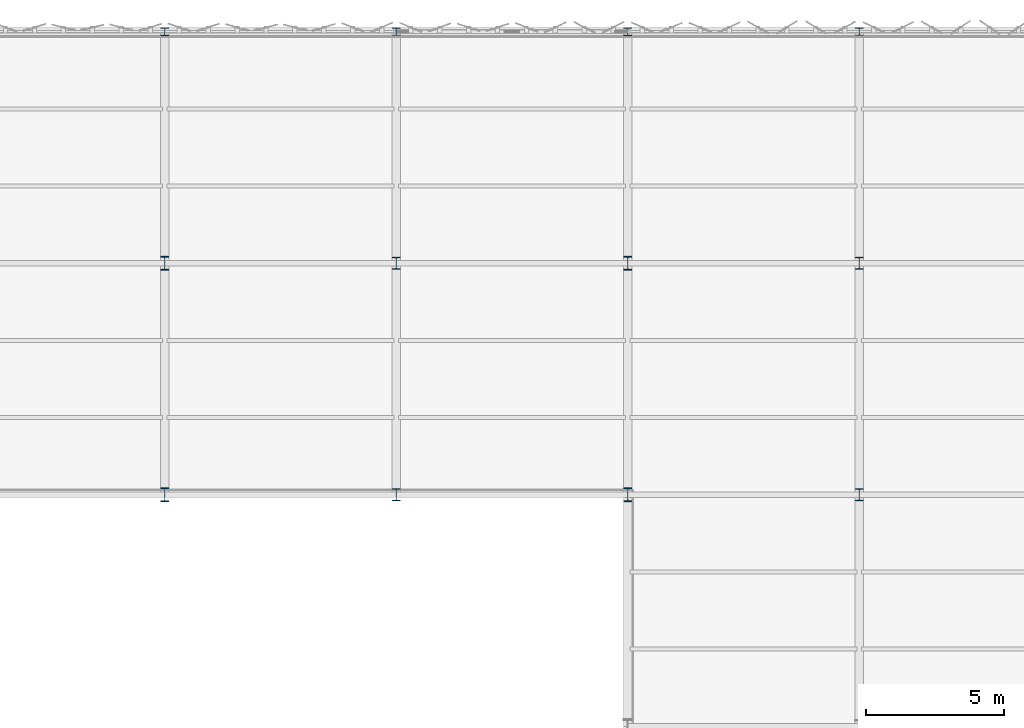
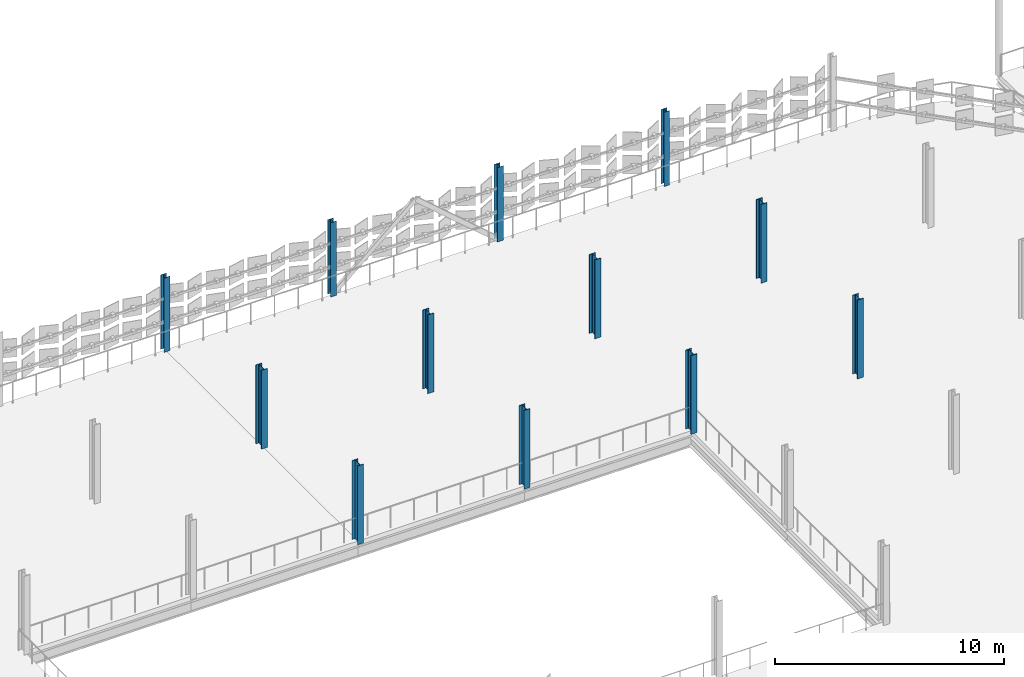
# One storey, part 9 of 69: 12 columns.
"""IFC4 building model written with IfcOpenShell, lengths in metres."""

from ifc_helpers import new_model, si_unit, direction, frame, origin, origin_2d, place, context, subcontext, project, spatial, i_section, extrude, material, material_profile, profile_set, type_object, element, save


model = new_model("IFC4")

# Units and contexts
model_context = context("Model", 3, precision=1e-05, world=origin(), true_north=direction((0.0, 1.0)))
body_context = subcontext(model_context, "Body", "Model", "MODEL_VIEW")
ifc_project = project(units=[si_unit("LENGTHUNIT", "METRE"), si_unit("AREAUNIT", "SQUARE_METRE"), si_unit("VOLUMEUNIT", "CUBIC_METRE"), si_unit("PLANEANGLEUNIT", "RADIAN"), si_unit("MASSUNIT", "GRAM", prefix="KILO")], contexts=[model_context])

# Site, building, storey
site_placement = place(None, origin())
site = spatial("IfcSite", under=ifc_project, at=site_placement, CompositionType="ELEMENT")
building_placement = place(site_placement, origin())
building = spatial("IfcBuilding", under=site, at=building_placement, Name="Qalvenar Corner Mobility Hub", CompositionType="ELEMENT")
storey_placement = place(building_placement, frame((0.0, 0.0, 13.199951171875)))
storey = spatial("IfcBuildingStorey", under=building, at=storey_placement, Name="L03", CompositionType="ELEMENT", Elevation=13.199951171875)

# Columns
ifc_material = material(Name="Steel S355", Category="steel")
ifc_material_profile_1 = material_profile(ifc_material, i_section(OverallWidth=0.280029296875, OverallDepth=0.27001953125, WebThickness=0.008056640625, FlangeThickness=0.012939453125, FilletRadius=0.02392578125, at=origin_2d()), Name="HEA280")
ifc_profile_set_1 = profile_set([ifc_material_profile_1], Name="Steel S355")
column_type_1 = type_object("IfcColumnType", Name="COL-HEA280", PredefinedType="COLUMN", material=ifc_profile_set_1)
for number, where, z_axis, x_axis, name in (
    (1, (109.199951171875, 117.60009765625, 0.0), (0.0, 0.0, 1.0), (1.0, 0.0, 0.0), "Steel Column L03-G14-14"),
    (2, (126.0, 117.60009765625, 0.0), (0.0, 0.0, 1.0), (1.0, 0.0, 0.0), "Steel Column L03-G16-14"),
):
    element("IfcColumn", number, at=place(storey_placement, frame(where, z_axis=z_axis, x_axis=x_axis)), inside=storey, type_object=column_type_1, Name=name, PredefinedType="COLUMN", context=body_context, shape_type="SweptSolid", body=[
        extrude(i_section(OverallWidth=0.280029296875, OverallDepth=0.27001953125, WebThickness=0.008056640625, FlangeThickness=0.012939453125, FilletRadius=0.02392578125, at=origin_2d()), origin(), (0.0, 0.0, 1.0), 3.9580078125),
    ])
ifc_material_profile_2 = material_profile(ifc_material, i_section(OverallWidth=0.300048828125, OverallDepth=0.300048828125, WebThickness=0.010986328125, FlangeThickness=0.01904296875, FilletRadius=0.027099609375, at=origin_2d()), Name="HEB300")
ifc_profile_set_2 = profile_set([ifc_material_profile_2], Name="Steel S355")
column_type_2 = type_object("IfcColumnType", Name="COL-HEB300", PredefinedType="COLUMN", material=ifc_profile_set_2)
for number, where, z_axis, x_axis, name in (
    (3, (100.800048828125, 117.60009765625, 0.0), (0.0, 0.0, 1.0), (1.0, 0.0, 0.0), "Steel Column L03-G13-14"),
    (4, (117.60009765625, 117.60009765625, 0.0), (0.0, 0.0, 1.0), (1.0, 0.0, 0.0), "Steel Column L03-G15-14"),
):
    element("IfcColumn", number, at=place(storey_placement, frame(where, z_axis=z_axis, x_axis=x_axis)), inside=storey, type_object=column_type_2, Name=name, PredefinedType="COLUMN", context=body_context, shape_type="SweptSolid", body=[
        extrude(i_section(OverallWidth=0.300048828125, OverallDepth=0.300048828125, WebThickness=0.010986328125, FlangeThickness=0.01904296875, FilletRadius=0.027099609375, at=origin_2d()), origin(), (0.0, 0.0, 1.0), 3.9580078125),
    ])
ifc_material_profile_3 = material_profile(ifc_material, i_section(OverallWidth=0.300048828125, OverallDepth=0.449951171875, WebThickness=0.013916015625, FlangeThickness=0.02587890625, FilletRadius=0.027099609375, at=origin_2d()), Name="HEB450")
ifc_profile_set_3 = profile_set([ifc_material_profile_3], Name="Steel S355")
column_type_3 = type_object("IfcColumnType", Name="COL-HEB450", PredefinedType="COLUMN", material=ifc_profile_set_3)
for number, where, z_axis, x_axis, name in (
    (5, (109.199951171875, 100.800048828125, 0.0), (0.0, 0.0, 1.0), (1.0, 0.0, 0.0), "Steel Column L03-G14-12"),
    (6, (109.199951171875, 109.199951171875, 0.0), (0.0, 0.0, 1.0), (1.0, 0.0, 0.0), "Steel Column L03-G14-13"),
    (7, (126.0, 100.800048828125, 0.0), (0.0, 0.0, 1.0), (1.0, 0.0, 0.0), "Steel Column L03-G16-12"),
    (8, (126.0, 109.199951171875, 0.0), (0.0, 0.0, 1.0), (1.0, 0.0, 0.0), "Steel Column L03-G16-13"),
):
    element("IfcColumn", number, at=place(storey_placement, frame(where, z_axis=z_axis, x_axis=x_axis)), inside=storey, type_object=column_type_3, Name=name, PredefinedType="COLUMN", context=body_context, shape_type="SweptSolid", body=[
        extrude(i_section(OverallWidth=0.300048828125, OverallDepth=0.449951171875, WebThickness=0.013916015625, FlangeThickness=0.02587890625, FilletRadius=0.027099609375, at=origin_2d()), origin(), (0.0, 0.0, 1.0), 4.199951171875),
    ])
ifc_material_profile_4 = material_profile(ifc_material, i_section(OverallWidth=0.300048828125, OverallDepth=0.5, WebThickness=0.014404296875, FlangeThickness=0.028076171875, FilletRadius=0.027099609375, at=origin_2d()), Name="HEB500")
ifc_profile_set_4 = profile_set([ifc_material_profile_4], Name="Steel S355")
column_type_4 = type_object("IfcColumnType", Name="COL-HEB500", PredefinedType="COLUMN", material=ifc_profile_set_4)
for number, where, z_axis, x_axis, name in (
    (9, (100.800048828125, 100.800048828125, 0.0), (0.0, 0.0, 1.0), (1.0, 0.0, 0.0), "Steel Column L03-G13-12"),
    (10, (100.800048828125, 109.199951171875, 0.0), (0.0, 0.0, 1.0), (1.0, 0.0, 0.0), "Steel Column L03-G13-13"),
    (11, (117.60009765625, 100.800048828125, 0.0), (0.0, 0.0, 1.0), (1.0, 0.0, 0.0), "Steel Column L03-G15-12"),
    (12, (117.60009765625, 109.199951171875, 0.0), (0.0, 0.0, 1.0), (1.0, 0.0, 0.0), "Steel Column L03-G15-13"),
):
    element("IfcColumn", number, at=place(storey_placement, frame(where, z_axis=z_axis, x_axis=x_axis)), inside=storey, type_object=column_type_4, Name=name, PredefinedType="COLUMN", context=body_context, shape_type="SweptSolid", body=[
        extrude(i_section(OverallWidth=0.300048828125, OverallDepth=0.5, WebThickness=0.014404296875, FlangeThickness=0.028076171875, FilletRadius=0.027099609375, at=origin_2d()), origin(), (0.0, 0.0, 1.0), 4.199951171875),
    ])

save(model, "model.ifc")
